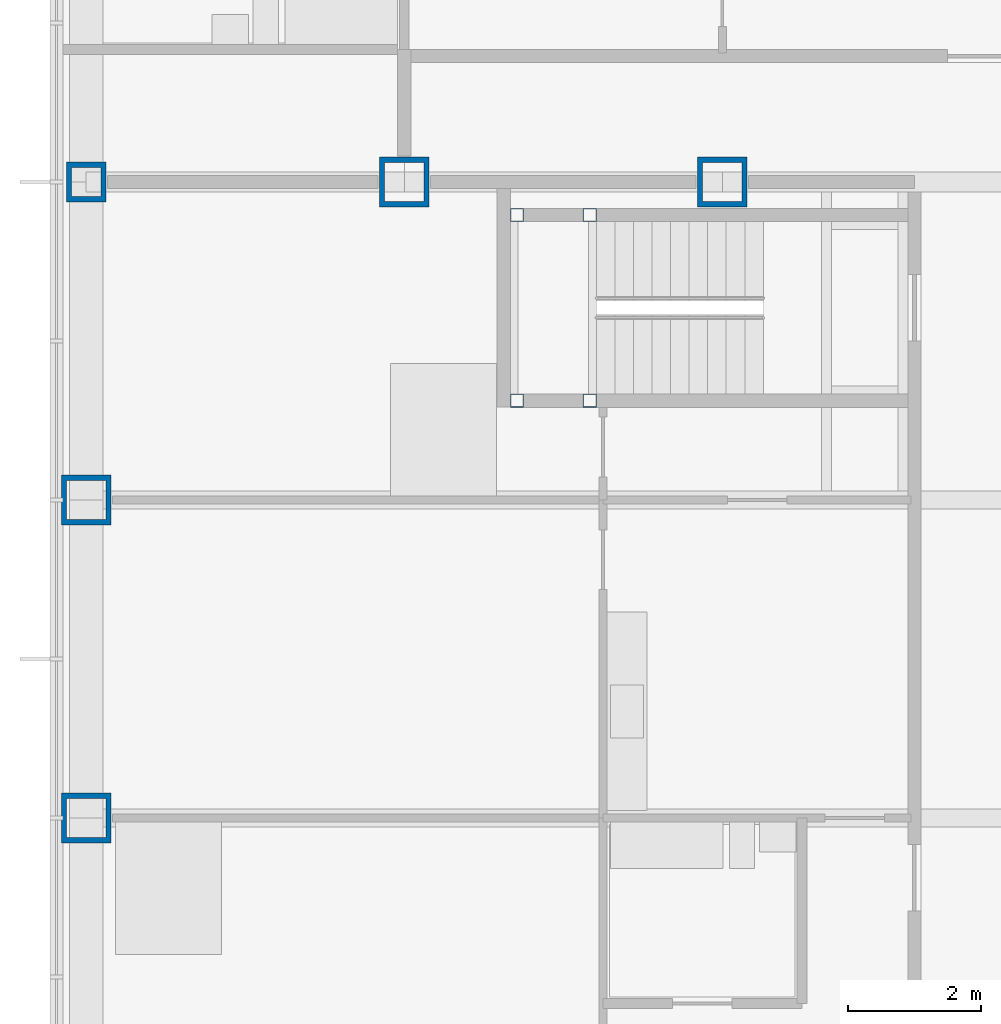
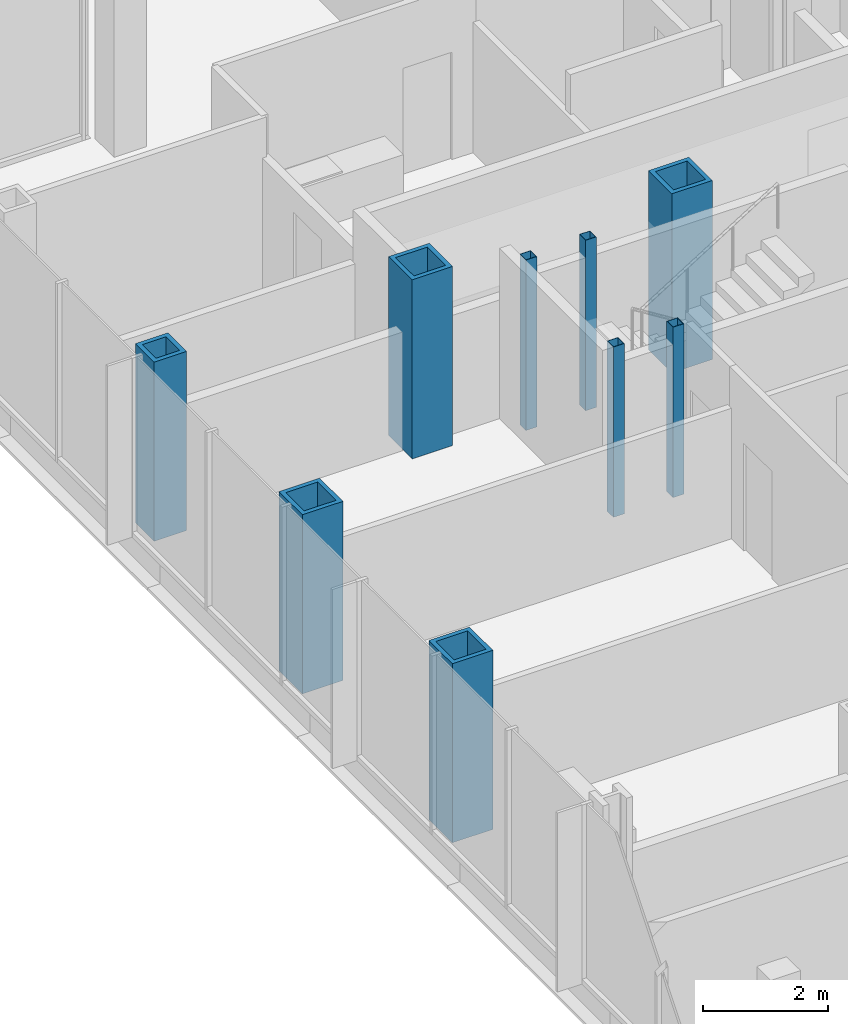
# One storey, part 3 of 21: 9 columns.
"""IFC4 building model written with IfcOpenShell, lengths in metres."""

import ifcopenshell
import ifcopenshell.guid

model = None  # the IFC model being written
_history = None  # IfcOwnerHistory: only IFC2X3 demands one
_inside = {}  # id of a spatial element -> (the spatial element, [elements in it])
_under = {}  # id of a project, library or spatial element -> (it, [spatial elements below it])
_declared = {}  # id of a project -> (the project, [libraries it declares])
_typed = {}  # id of a type object -> (the type object, [elements of that type])
_made_of = {}  # id of a material, layer set ... -> (it, [elements and type objects made of it])


def new_model(schema):
    """Start an empty IFC model of exactly this schema.

    Asked for "IFC4X3", IfcOpenShell would pick the latest addendum, in which some entities
    have other attributes; the version numbers below select the first issue.
    IFC2X3 requires an IfcOwnerHistory on every rooted entity: one is made here for all.
    """
    global model, _history
    if schema == "IFC4X3":
        model = ifcopenshell.file(schema_version=(4, 3, 0, 0))
    else:
        model = ifcopenshell.file(schema=schema)
    _inside.clear()
    _under.clear()
    _declared.clear()
    _typed.clear()
    _made_of.clear()
    _history = None
    if model.schema == "IFC2X3":
        org = make("IfcOrganization", Name="unknown")
        user = make(
            "IfcPersonAndOrganization",
            ThePerson=make("IfcPerson", FamilyName="unknown"),
            TheOrganization=org,
        )
        app = make(
            "IfcApplication",
            ApplicationDeveloper=org,
            Version="unknown",
            ApplicationFullName="unknown",
            ApplicationIdentifier="unknown",
        )
        _history = make(
            "IfcOwnerHistory",
            OwningUser=user,
            OwningApplication=app,
            ChangeAction="ADDED",
            CreationDate=0,
        )
    return model


def make(cls, **values):
    """One entity of the class cls with the attributes given. An attribute that is None is left unset."""
    return model.create_entity(
        cls, **{name: value for name, value in values.items() if value is not None}
    )


def rooted(cls, **values):
    """An entity with a GlobalId (a new one), such as an element, a storey or a relation."""
    return make(cls, GlobalId=ifcopenshell.guid.new(), OwnerHistory=_history, **values)


def si_unit(unit_type, name, prefix=None):
    """IfcSIUnit, for example si_unit("LENGTHUNIT", "METRE", prefix="MILLI")."""
    return make("IfcSIUnit", UnitType=unit_type, Prefix=prefix, Name=name)


def assignment(units):
    """IfcUnitAssignment: the units of a project."""
    return None if units is None else make("IfcUnitAssignment", Units=units)


def point(xyz):
    """IfcCartesianPoint."""
    return None if xyz is None else make("IfcCartesianPoint", Coordinates=xyz)


def direction(xyz):
    """IfcDirection."""
    return None if xyz is None else make("IfcDirection", DirectionRatios=xyz)


def frame(location, z_axis=None, x_axis=None):
    """IfcAxis2Placement3D, a coordinate frame: its origin and axes. An axis left out is left unset."""
    return make(
        "IfcAxis2Placement3D",
        Location=point(location),
        Axis=direction(z_axis),
        RefDirection=direction(x_axis),
    )


def frame_2d(location, x_axis=None):
    """IfcAxis2Placement2D, a coordinate frame in the plane: its origin and x axis."""
    return make(
        "IfcAxis2Placement2D", Location=point(location), RefDirection=direction(x_axis)
    )


def origin():
    """The frame at (0, 0, 0) with its axes left unset."""
    return frame((0.0, 0.0, 0.0))


def origin_2d():
    """The frame at (0, 0) in the plane with its x axis left unset."""
    return frame_2d((0.0, 0.0))


def place(relative_to, where):
    """IfcLocalPlacement: puts the frame where relative to a parent placement (None: the world)."""
    return make(
        "IfcLocalPlacement", PlacementRelTo=relative_to, RelativePlacement=where
    )


def context(
    kind, dimensions, precision=None, world=None, true_north=None, identifier=None
):
    """IfcGeometricRepresentationContext, for example the 3D "Model" context."""
    return make(
        "IfcGeometricRepresentationContext",
        ContextIdentifier=identifier,
        ContextType=kind,
        CoordinateSpaceDimension=dimensions,
        Precision=precision,
        WorldCoordinateSystem=world,
        TrueNorth=true_north,
    )


def subcontext(parent, identifier, kind, view, scale=None):
    """IfcGeometricRepresentationSubContext, for example "Body" below "Model"."""
    return make(
        "IfcGeometricRepresentationSubContext",
        ContextIdentifier=identifier,
        ContextType=kind,
        ParentContext=parent,
        TargetScale=scale,
        TargetView=view,
    )


def project(units=None, contexts=None):
    """IfcProject with its units and contexts."""
    return rooted(
        "IfcProject",
        Name="project",
        RepresentationContexts=contexts,
        UnitsInContext=assignment(units),
    )


def spatial(cls, under=None, at=None, **own):
    """A site, building, storey or space (cls), placed at a placement, below another one or the project."""
    s = rooted(cls, ObjectPlacement=at, **own)
    if under is not None:
        _under.setdefault(under.id(), (under, []))[1].append(s)
    return s


def profile(cls, at=None, kind="AREA", **sizes):
    """A parametric profile (cls). Its sizes go by their IFC names, for example OverallWidth=200.0."""
    return make(cls, ProfileType=kind, Position=at, **sizes)


def hollow_rectangle(**sizes):
    """IfcRectangleHollowProfileDef."""
    return profile("IfcRectangleHollowProfileDef", **sizes)


def extrude(swept, where, along, depth):
    """IfcExtrudedAreaSolid: the profile swept, set in the frame where, extruded along a direction by depth."""
    return make(
        "IfcExtrudedAreaSolid",
        SweptArea=swept,
        Position=where,
        ExtrudedDirection=direction(along),
        Depth=depth,
    )


def shape(context_of_items, identifier, shape_type, items):
    """IfcShapeRepresentation: the items that make up one representation, for example the "Body"."""
    return make(
        "IfcShapeRepresentation",
        ContextOfItems=context_of_items,
        RepresentationIdentifier=identifier,
        RepresentationType=shape_type,
        Items=items,
    )


def material(Name=None, Category=None):
    """IfcMaterial."""
    return make("IfcMaterial", Name=Name, Category=Category)


def material_profile(
    of_material, cross_section, Name=None, Category=None, Priority=None
):
    """IfcMaterialProfile: a cross section and its material."""
    return make(
        "IfcMaterialProfile",
        Name=Name,
        Material=of_material,
        Profile=cross_section,
        Priority=Priority,
        Category=Category,
    )


def profile_set(profiles, Name=None, composite=None):
    """IfcMaterialProfileSet."""
    return make(
        "IfcMaterialProfileSet",
        Name=Name,
        MaterialProfiles=profiles,
        CompositeProfile=composite,
    )


def made_of(thing, what):
    """Note that an element or type object is made of a material, layer set ...; save() writes the relation."""
    if what is not None:
        _made_of.setdefault(what.id(), (what, []))[1].append(thing)
    return thing


def type_object(cls, material=None, **own):
    """A type object (cls), such as IfcWallType, which elements share."""
    return made_of(rooted(cls, **own), material)


def element(
    cls,
    number,
    at=None,
    inside=None,
    cuts=None,
    type_object=None,
    material=None,
    context=None,
    identifier="Body",
    shape_type=None,
    held_by="IfcProductDefinitionShape",
    body=None,
    shapes=None,
    **own,
):
    """One element of the class cls, such as IfcWall. Its Tag is "e" and its number.

    at: its placement. inside: the storey or other place that contains it. cuts: it is an
    opening in that element (IfcRelVoidsElement). A single representation is given by context,
    identifier, shape_type and body (its items); several are given by shapes. held_by: the class
    of the entity that holds the representations. save() writes the other relations.
    """
    e = rooted(cls, Tag="e%d" % number, ObjectPlacement=at, **own)
    if body is not None:
        shapes = [shape(context, identifier, shape_type, body)]
    if shapes is not None:
        e.Representation = make(held_by, Representations=shapes)
    if inside is not None:
        _inside.setdefault(inside.id(), (inside, []))[1].append(e)
    if cuts is not None:
        rooted(
            "IfcRelVoidsElement", RelatingBuildingElement=cuts, RelatedOpeningElement=e
        )
    if type_object is not None:
        _typed.setdefault(type_object.id(), (type_object, []))[1].append(e)
    return made_of(e, material)


def aggregate(whole, parts):
    """IfcRelAggregates: a whole, such as a stair, and the parts it consists of."""
    return rooted("IfcRelAggregates", RelatingObject=whole, RelatedObjects=parts)


def save(model, path):
    """Write the relations noted so far, then the file.

    IfcRelAggregates (storeys below a building ...), IfcRelContainedInSpatialStructure (elements
    in a storey), IfcRelDefinesByType, IfcRelAssociatesMaterial and IfcRelDeclares: one each for
    every whole, place, type object, material and project.
    """
    for whole, parts in _under.values():
        aggregate(whole, parts)
    for where, things in _inside.values():
        rooted(
            "IfcRelContainedInSpatialStructure",
            RelatedElements=things,
            RelatingStructure=where,
        )
    for kind, things in _typed.values():
        rooted("IfcRelDefinesByType", RelatedObjects=things, RelatingType=kind)
    for what, things in _made_of.values():
        rooted("IfcRelAssociatesMaterial", RelatedObjects=things, RelatingMaterial=what)
    for by, libraries in _declared.values():
        rooted("IfcRelDeclares", RelatingContext=by, RelatedDefinitions=libraries)
    model.write(path)


model = new_model("IFC4")

# Units and contexts
model_context = context("Model", 3, precision=1e-05, world=origin(), true_north=direction((0.0, 1.0)))
body_context = subcontext(model_context, "Body", "Model", "MODEL_VIEW")
ifc_project = project(units=[si_unit("LENGTHUNIT", "METRE"), si_unit("AREAUNIT", "SQUARE_METRE"), si_unit("VOLUMEUNIT", "CUBIC_METRE"), si_unit("PLANEANGLEUNIT", "RADIAN"), si_unit("MASSUNIT", "GRAM", prefix="KILO")], contexts=[model_context])

# Site, building, storey
site_placement = place(None, origin())
site = spatial("IfcSite", under=ifc_project, at=site_placement, CompositionType="ELEMENT")
building_placement = place(site_placement, origin())
building = spatial("IfcBuilding", under=site, at=building_placement, Name="Kvirike Care Tower", CompositionType="ELEMENT")
storey_placement = place(building_placement, frame((0.0, 0.0, 58.5)))
storey = spatial("IfcBuildingStorey", under=building, at=storey_placement, Name="L15", CompositionType="ELEMENT", Elevation=58.5)

# Columns
ifc_material_1 = material(Name="Steel S460", Category="steel")
ifc_material_profile_1 = material_profile(ifc_material_1, hollow_rectangle(XDim=0.60009765625, YDim=0.60009765625, WallThickness=0.080078125, at=origin_2d()), Name="BX 600x600x80")
ifc_profile_set_1 = profile_set([ifc_material_profile_1], Name="Steel S460")
column_type_1 = type_object("IfcColumnType", Name="COLUMN BX 600x600x80", PredefinedType="COLUMN", material=ifc_profile_set_1)
column_placement = place(storey_placement, frame((0.0, 43.199951171875, 0.0), z_axis=(0.0, 0.0, 1.0), x_axis=(0.0, 1.0, 0.0)))
element("IfcColumn", 1, at=column_placement, inside=storey, type_object=column_type_1, Name="Column K3 L15", PredefinedType="COLUMN", context=body_context, shape_type="SweptSolid", body=[
    extrude(hollow_rectangle(XDim=0.60009765625, YDim=0.60009765625, WallThickness=0.080078125, at=origin_2d()), origin(), (0.0, 0.0, 1.0), 3.5),
])
ifc_material_2 = material(Name="Steel S460", Category="steel")
ifc_material_profile_2 = material_profile(ifc_material_2, hollow_rectangle(XDim=0.75, YDim=0.75, WallThickness=0.080078125, at=origin_2d()), Name="BX 750x750x80")
ifc_profile_set_2 = profile_set([ifc_material_profile_2], Name="Steel S460")
column_type_2 = type_object("IfcColumnType", Name="COLUMN BX 750x750x80", PredefinedType="COLUMN", material=ifc_profile_set_2)
for number, where, z_axis, x_axis, name in (
    (2, (0.0, 33.60009765625, 0.0), (0.0, 0.0, 1.0), (1.0, 0.0, 0.0), "Column H3 L15"),
    (3, (0.0, 38.39990234375, 0.0), (0.0, 0.0, 1.0), (1.0, 0.0, 0.0), "Column J3 L15"),
    (4, (4.800048828125, 43.199951171875, 0.0), (0.0, 0.0, 1.0), (0.0, 1.0, 0.0), "Column K4 L15"),
    (5, (9.60009765625, 43.199951171875, 0.0), (0.0, 0.0, 1.0), (0.0, 1.0, 0.0), "Column K5 L15"),
):
    element("IfcColumn", number, at=place(storey_placement, frame(where, z_axis=z_axis, x_axis=x_axis)), inside=storey, type_object=column_type_2, Name=name, PredefinedType="COLUMN", context=body_context, shape_type="SweptSolid", body=[
        extrude(hollow_rectangle(XDim=0.75, YDim=0.75, WallThickness=0.080078125, at=origin_2d()), origin(), (0.0, 0.0, 1.0), 3.5),
    ])
ifc_material_3 = material(Name="Steel S460", Category="steel")
ifc_material_profile_3 = material_profile(ifc_material_3, hollow_rectangle(XDim=0.199951171875, YDim=0.199951171875, WallThickness=0.008056640625, at=origin_2d()), Name="SHS 200x200x8")
ifc_profile_set_3 = profile_set([ifc_material_profile_3], Name="Steel S460")
column_type_3 = type_object("IfcColumnType", Name="STAIR POST SHS 200x200x8", PredefinedType="COLUMN", material=ifc_profile_set_3)
for number, where, z_axis, x_axis, name in (
    (6, (6.5, 42.699951171875, 0.0), (0.0, 0.0, 1.0), (1.0, 0.0, 0.0), "Stair 1 post 1 L15"),
    (7, (6.5, 39.89990234375, 0.0), (0.0, 0.0, 1.0), (1.0, 0.0, 0.0), "Stair 1 post 2 L15"),
    (8, (7.60009765625, 42.699951171875, 0.0), (0.0, 0.0, 1.0), (1.0, 0.0, 0.0), "Stair 1 post 3 L15"),
    (9, (7.60009765625, 39.89990234375, 0.0), (0.0, 0.0, 1.0), (1.0, 0.0, 0.0), "Stair 1 post 4 L15"),
):
    element("IfcColumn", number, at=place(storey_placement, frame(where, z_axis=z_axis, x_axis=x_axis)), inside=storey, type_object=column_type_3, Name=name, PredefinedType="COLUMN", context=body_context, shape_type="SweptSolid", body=[
        extrude(hollow_rectangle(XDim=0.199951171875, YDim=0.199951171875, WallThickness=0.008056640625, at=origin_2d()), origin(), (0.0, 0.0, 1.0), 3.330078125),
    ])

save(model, "model.ifc")
